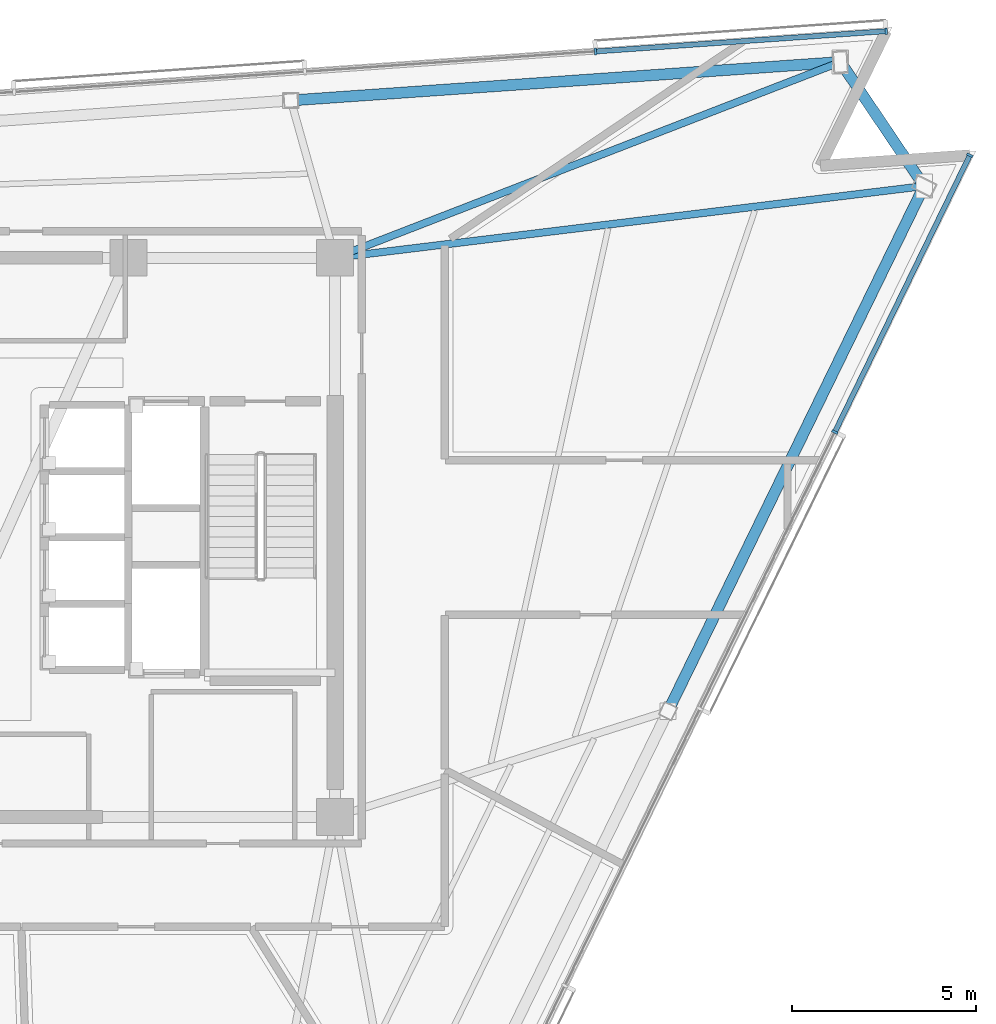
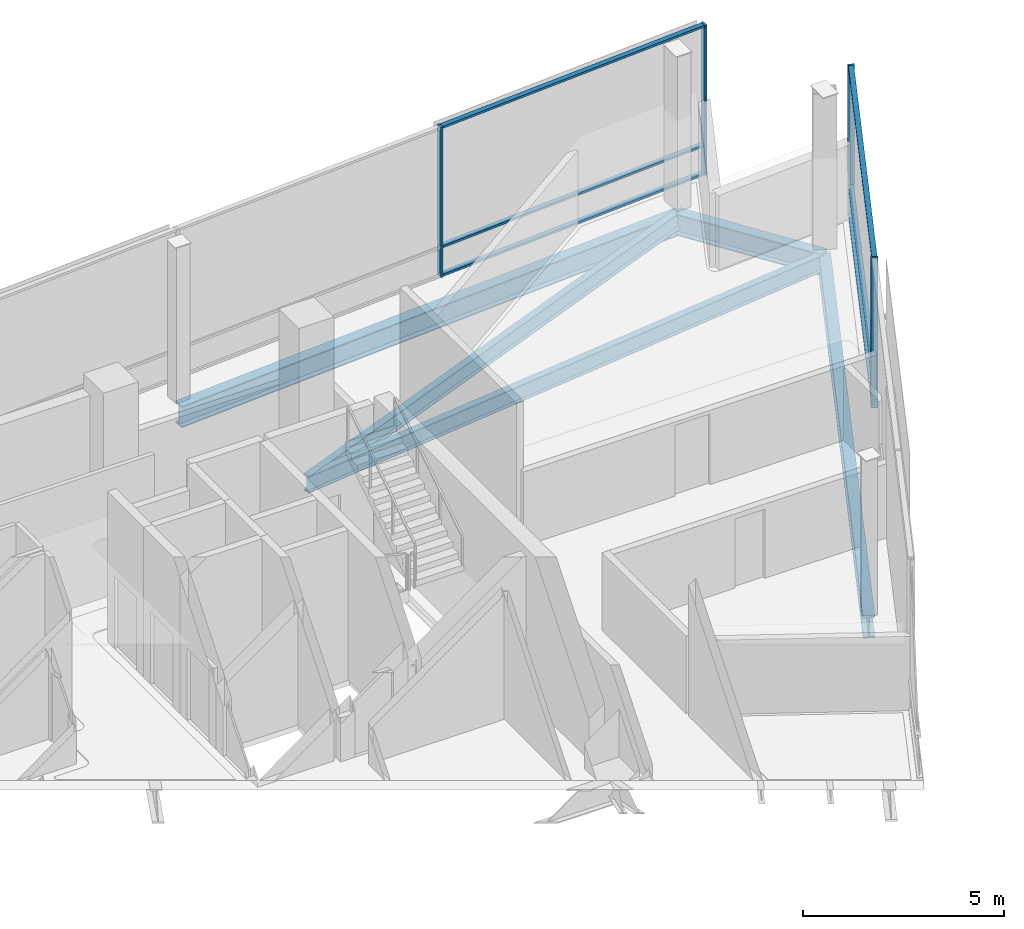
# One storey, part 7 of 16: 10 members, 5 beams, 2 elements without a shape of their own.
"""IFC4 building model written with IfcOpenShell, lengths in metres."""

from ifc_helpers import new_model, si_unit, direction, frame, origin, origin_2d, place, context, subcontext, project, spatial, rectangle, i_section, extrude, material, layer, layer_set, material_profile, profile_set, type_object, element, aggregate, save


model = new_model("IFC4")

# Units and contexts
model_context = context("Model", 3, precision=1e-05, world=origin(), true_north=direction((0.0, 1.0)))
body_context = subcontext(model_context, "Body", "Model", "MODEL_VIEW")
ifc_project = project(units=[si_unit("LENGTHUNIT", "METRE"), si_unit("AREAUNIT", "SQUARE_METRE"), si_unit("VOLUMEUNIT", "CUBIC_METRE"), si_unit("PLANEANGLEUNIT", "RADIAN"), si_unit("MASSUNIT", "GRAM", prefix="KILO")], contexts=[model_context])

# Site, building, storey
site_placement = place(None, origin())
site = spatial("IfcSite", under=ifc_project, at=site_placement, CompositionType="ELEMENT")
building_placement = place(site_placement, origin())
building = spatial("IfcBuilding", under=site, at=building_placement, Name="Tharavind Bronze Gate", CompositionType="ELEMENT")
storey_placement = place(building_placement, frame((0.0, 0.0, 275.0)))
storey = spatial("IfcBuildingStorey", under=building, at=storey_placement, Name="L71", CompositionType="ELEMENT", Elevation=275.0)

# Curtain wall, members
ifc_material_1 = material(Name="Anodised Bronze Aluminium", Category="aluminium")
ifc_layer = layer(ifc_material_1, 0.219970703125)
ifc_layer_set = layer_set([ifc_layer], Name="Anodised Bronze Aluminium")
curtain_wall_type = type_object("IfcCurtainWallType", Name="UNITISED CURTAIN WALL UPPER OFFICE", PredefinedType="USERDEFINED", material=ifc_layer_set)
curtain_wall_1_placement = place(storey_placement, origin())
curtain_wall_1 = element("IfcCurtainWall", 1, at=curtain_wall_1_placement, inside=storey, type_object=curtain_wall_type, Name="L71 unitised curtain wall upper office CW-L71-S2", ObjectType="UNITISED CURTAIN WALL", PredefinedType="USERDEFINED")
member_type_1 = type_object("IfcMemberType", Name="CURTAIN WALL BRONZE MULLION 65X180", PredefinedType="MULLION", material=ifc_material_1)
member_1_placement = place(storey_placement, frame((22.485107421875, 2.863525390625, 0.0), z_axis=(0.0, 0.0, 1.0), x_axis=(0.43837271548, 0.898793281196, 0.0)))
member_1 = element("IfcMember", 2, at=member_1_placement, type_object=member_type_1, Name="CW-L71-S2 mullion 6", PredefinedType="MULLION", context=body_context, shape_type="SweptSolid", body=[
    extrude(rectangle(XDim=0.06494140625, YDim=0.179931640625, at=origin_2d()), origin(), (0.0, 0.0, 1.0), 4.56005859375),
])
member_2_placement = place(storey_placement, frame((26.1552734375, 10.388427734375, 0.0), z_axis=(0.0, 0.0, 1.0), x_axis=(0.43837271548, 0.898793281196, 0.0)))
member_2 = element("IfcMember", 3, at=member_2_placement, type_object=member_type_1, Name="CW-L71-S2 mullion 7", PredefinedType="MULLION", context=body_context, shape_type="SweptSolid", body=[
    extrude(rectangle(XDim=0.06494140625, YDim=0.179931640625, at=origin_2d()), origin(), (0.0, 0.0, 1.0), 4.56005859375),
])

curtain_wall_2_placement = place(storey_placement, origin())
curtain_wall_2 = element("IfcCurtainWall", 4, at=curtain_wall_2_placement, inside=storey, type_object=curtain_wall_type, Name="L71 unitised curtain wall upper office CW-L71-S3", ObjectType="UNITISED CURTAIN WALL", PredefinedType="USERDEFINED")
member_3_placement = place(storey_placement, frame((23.880615234375, 13.760986328125, 0.0), z_axis=(0.0, 0.0, 1.0), x_axis=(-0.997563806758, -0.069759955899, 0.0)))
member_3 = element("IfcMember", 5, at=member_3_placement, type_object=member_type_1, Name="CW-L71-S3 mullion 1", PredefinedType="MULLION", context=body_context, shape_type="SweptSolid", body=[
    extrude(rectangle(XDim=0.06494140625, YDim=0.179931640625, at=origin_2d()), origin(), (0.0, 0.0, 1.0), 4.56005859375),
])
member_4_placement = place(storey_placement, frame((15.9794921875, 13.20849609375, 0.0), z_axis=(0.0, 0.0, 1.0), x_axis=(-0.997563806758, -0.069759955899, 0.0)))
member_4 = element("IfcMember", 6, at=member_4_placement, type_object=member_type_1, Name="CW-L71-S3 mullion 2", PredefinedType="MULLION", context=body_context, shape_type="SweptSolid", body=[
    extrude(rectangle(XDim=0.06494140625, YDim=0.179931640625, at=origin_2d()), origin(), (0.0, 0.0, 1.0), 4.56005859375),
])

# Member
member_type_2 = type_object("IfcMemberType", Name="CURTAIN WALL BRONZE TRANSOM 65X140", PredefinedType="USERDEFINED", material=ifc_material_1)
member_5_placement = place(storey_placement, frame((24.3203125, 6.6259765625, 0.0), z_axis=(0.0, 0.0, 1.0), x_axis=(0.43837271548, 0.898793281196, 0.0)))
member_5 = element("IfcMember", 7, at=member_5_placement, type_object=member_type_2, Name="CW-L71-S2 transom TB6", ObjectType="TRANSOM", PredefinedType="USERDEFINED", context=body_context, shape_type="SweptSolid", body=[
    extrude(rectangle(XDim=8.3193359375, YDim=0.139892578125, at=origin_2d()), origin(), (0.0, 0.0, 1.0), 0.06494140625),
])

member_6_placement = place(storey_placement, frame((24.3203125, 6.6259765625, 0.867431640625), z_axis=(0.0, 0.0, 1.0), x_axis=(0.43837271548, 0.898793281196, 0.0)))
member_6 = element("IfcMember", 8, at=member_6_placement, type_object=member_type_2, Name="CW-L71-S2 transom TS6", ObjectType="TRANSOM", PredefinedType="USERDEFINED", context=body_context, shape_type="SweptSolid", body=[
    extrude(rectangle(XDim=8.3193359375, YDim=0.139892578125, at=origin_2d()), origin(), (0.0, 0.0, 1.0), 0.06494140625),
])

member_7_placement = place(storey_placement, frame((24.3203125, 6.6259765625, 4.4951171875), z_axis=(0.0, 0.0, 1.0), x_axis=(0.43837271548, 0.898793281196, 0.0)))
member_7 = element("IfcMember", 9, at=member_7_placement, type_object=member_type_2, Name="CW-L71-S2 transom TT6", ObjectType="TRANSOM", PredefinedType="USERDEFINED", context=body_context, shape_type="SweptSolid", body=[
    extrude(rectangle(XDim=8.3193359375, YDim=0.139892578125, at=origin_2d()), origin(), (0.0, 0.0, 1.0), 0.06494140625),
])

aggregate(curtain_wall_1, [member_1, member_2, member_5, member_6, member_7])

member_8_placement = place(storey_placement, frame((19.929931640625, 13.48486328125, 0.0), z_axis=(0.0, 0.0, 1.0), x_axis=(-0.997563806758, -0.069759955899, 0.0)))
member_8 = element("IfcMember", 10, at=member_8_placement, type_object=member_type_2, Name="CW-L71-S3 transom TB1", ObjectType="TRANSOM", PredefinedType="USERDEFINED", context=body_context, shape_type="SweptSolid", body=[
    extrude(rectangle(XDim=7.8671875, YDim=0.139892578125, at=origin_2d()), origin(), (0.0, 0.0, 1.0), 0.06494140625),
])

member_9_placement = place(storey_placement, frame((19.929931640625, 13.48486328125, 0.867431640625), z_axis=(0.0, 0.0, 1.0), x_axis=(-0.997563806758, -0.069759955899, 0.0)))
member_9 = element("IfcMember", 11, at=member_9_placement, type_object=member_type_2, Name="CW-L71-S3 transom TS1", ObjectType="TRANSOM", PredefinedType="USERDEFINED", context=body_context, shape_type="SweptSolid", body=[
    extrude(rectangle(XDim=7.8671875, YDim=0.139892578125, at=origin_2d()), origin(), (0.0, 0.0, 1.0), 0.06494140625),
])

member_10_placement = place(storey_placement, frame((19.929931640625, 13.48486328125, 4.4951171875), z_axis=(0.0, 0.0, 1.0), x_axis=(-0.997563806758, -0.069759955899, 0.0)))
member_10 = element("IfcMember", 12, at=member_10_placement, type_object=member_type_2, Name="CW-L71-S3 transom TT1", ObjectType="TRANSOM", PredefinedType="USERDEFINED", context=body_context, shape_type="SweptSolid", body=[
    extrude(rectangle(XDim=7.8671875, YDim=0.139892578125, at=origin_2d()), origin(), (0.0, 0.0, 1.0), 0.06494140625),
])

aggregate(curtain_wall_2, [member_3, member_4, member_8, member_9, member_10])

# Beams
ifc_material_2 = material(Name="Steel S355", Category="steel")
ifc_material_profile_1 = material_profile(ifc_material_2, i_section(OverallWidth=0.300048828125, OverallDepth=0.64990234375, WebThickness=0.01611328125, FlangeThickness=0.031005859375, at=origin_2d()), Name="HE650B")
ifc_profile_set_1 = profile_set([ifc_material_profile_1], Name="Steel S355")
beam_type_1 = type_object("IfcBeamType", Name="PRIMARY GIRDER HE650B", PredefinedType="USERDEFINED", material=ifc_profile_set_1)
beam_1_placement = place(storey_placement, frame((17.950927734375, -4.721923828125, -0.5048828125), z_axis=(0.438366378116, 0.898796372121, 0.0), x_axis=(-0.898796372121, 0.438366378116, 0.0)))
element("IfcBeam", 13, at=beam_1_placement, inside=storey, type_object=beam_type_1, Name="L71 primary girder he650b BM-L71-PRG07", ObjectType="GIRDER", PredefinedType="USERDEFINED", context=body_context, shape_type="SweptSolid", body=[
    extrude(i_section(OverallWidth=0.300048828125, OverallDepth=0.64990234375, WebThickness=0.01611328125, FlangeThickness=0.031005859375, at=origin_2d()), origin(), (0.0, 0.0, 1.0), 15.878662109375),
])
beam_2_placement = place(storey_placement, frame((24.91162109375, 9.5498046875, -0.5048828125), z_axis=(-0.559165651986, 0.829055953262, 0.0), x_axis=(-0.829055953262, -0.559165651986, 0.0)))
element("IfcBeam", 14, at=beam_2_placement, inside=storey, type_object=beam_type_1, Name="L71 primary girder he650b BM-L71-PRG08", ObjectType="GIRDER", PredefinedType="USERDEFINED", context=body_context, shape_type="SweptSolid", body=[
    extrude(i_section(OverallWidth=0.300048828125, OverallDepth=0.64990234375, WebThickness=0.01611328125, FlangeThickness=0.031005859375, at=origin_2d()), origin(), (0.0, 0.0, 1.0), 4.06787109375),
])
beam_3_placement = place(storey_placement, frame((22.636962890625, 12.92236328125, -0.5048828125), z_axis=(-0.997563609873, -0.069762771286, 0.0), x_axis=(0.069762771286, -0.997563609873, 0.0)))
element("IfcBeam", 15, at=beam_3_placement, inside=storey, type_object=beam_type_1, Name="L71 primary girder he650b BM-L71-PRG09", ObjectType="GIRDER", PredefinedType="USERDEFINED", context=body_context, shape_type="SweptSolid", body=[
    extrude(i_section(OverallWidth=0.300048828125, OverallDepth=0.64990234375, WebThickness=0.01611328125, FlangeThickness=0.031005859375, at=origin_2d()), origin(), (0.0, 0.0, 1.0), 14.974609375),
])
ifc_material_profile_2 = material_profile(ifc_material_2, i_section(OverallWidth=0.199951171875, OverallDepth=0.5, WebThickness=0.01025390625, FlangeThickness=0.01611328125, at=origin_2d()), Name="IPE500")
ifc_profile_set_2 = profile_set([ifc_material_profile_2], Name="Steel S355")
beam_type_2 = type_object("IfcBeamType", Name="PRIMARY GIRDER IPE500", PredefinedType="USERDEFINED", material=ifc_profile_set_2)
beam_4_placement = place(storey_placement, frame((24.91162109375, 9.5498046875, -0.429931640625), z_axis=(-0.992667775401, -0.120874677579, 0.0), x_axis=(0.120874677579, -0.992667775401, 0.0)))
element("IfcBeam", 16, at=beam_4_placement, inside=storey, type_object=beam_type_2, Name="L71 primary girder ipe500 BM-L71-RAD08", ObjectType="GIRDER", PredefinedType="USERDEFINED", context=body_context, shape_type="SweptSolid", body=[
    extrude(i_section(OverallWidth=0.199951171875, OverallDepth=0.5, WebThickness=0.01025390625, FlangeThickness=0.01611328125, at=origin_2d()), origin(), (0.0, 0.0, 1.0), 16.1298828125),
])
beam_5_placement = place(storey_placement, frame((22.636962890625, 12.92236328125, -0.429931640625), z_axis=(-0.932460796057, -0.361271177672, 0.0), x_axis=(0.361271177672, -0.932460796057, 0.0)))
element("IfcBeam", 17, at=beam_5_placement, inside=storey, type_object=beam_type_2, Name="L71 primary girder ipe500 BM-L71-RAD09", ObjectType="GIRDER", PredefinedType="USERDEFINED", context=body_context, shape_type="SweptSolid", body=[
    extrude(i_section(OverallWidth=0.199951171875, OverallDepth=0.5, WebThickness=0.01025390625, FlangeThickness=0.01611328125, at=origin_2d()), origin(), (0.0, 0.0, 1.0), 14.73193359375),
])

save(model, "model.ifc")
